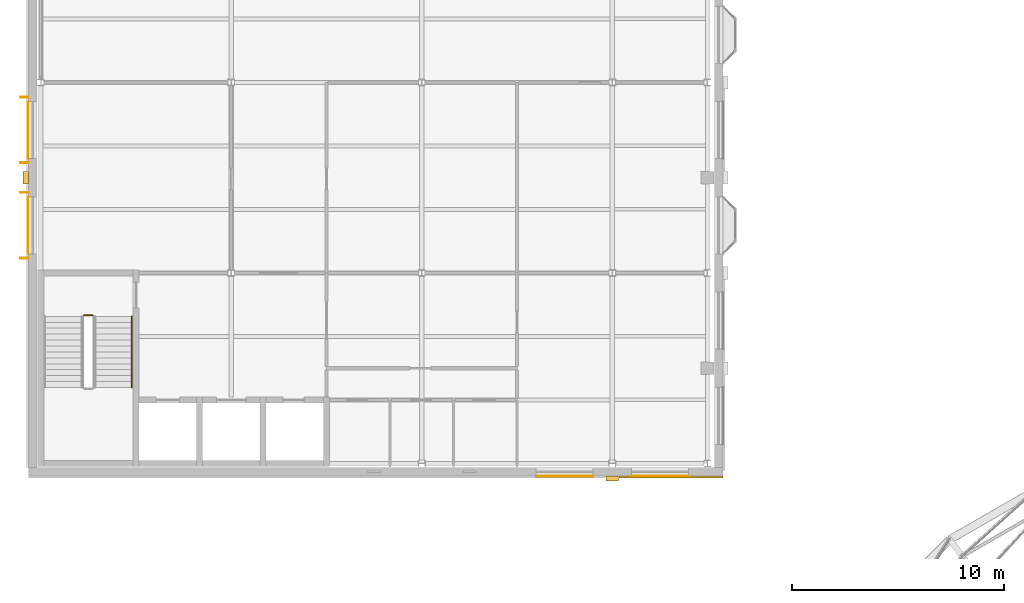
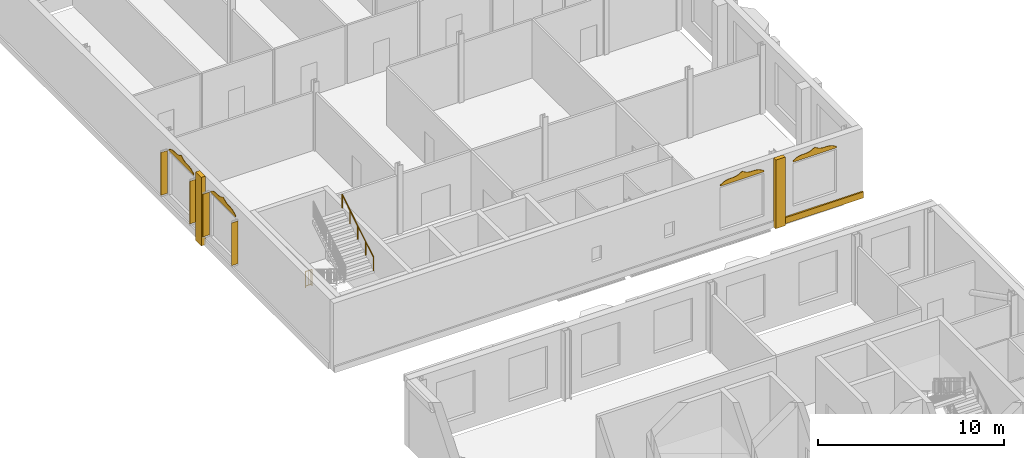
# One storey, part 51 of 59: 7 coverings, 4 shading devices, 2 railings.
"""IFC4 building model written with IfcOpenShell, lengths in metres."""

from ifc_helpers import new_model, si_unit, direction, frame, origin, origin_2d, place, context, subcontext, project, spatial, polyline, rectangle, circle, outline, extrude, material, layer, layer_set, type_object, element, save


model = new_model("IFC4")

# Units and contexts
model_context = context("Model", 3, precision=1e-05, world=origin(), true_north=direction((0.0, 1.0)))
body_context = subcontext(model_context, "Body", "Model", "MODEL_VIEW")
ifc_project = project(units=[si_unit("LENGTHUNIT", "METRE"), si_unit("AREAUNIT", "SQUARE_METRE"), si_unit("VOLUMEUNIT", "CUBIC_METRE"), si_unit("PLANEANGLEUNIT", "RADIAN"), si_unit("MASSUNIT", "GRAM", prefix="KILO")], contexts=[model_context])

# Site, building, storey
site_placement = place(None, origin())
site = spatial("IfcSite", under=ifc_project, at=site_placement, CompositionType="ELEMENT")
building_placement = place(site_placement, origin())
building = spatial("IfcBuilding", under=site, at=building_placement, Name="Hortulan Conservatory and Botanical Research Centre", CompositionType="ELEMENT")
storey_placement = place(building_placement, frame((0.0, 0.0, 10.5)))
storey = spatial("IfcBuildingStorey", under=building, at=storey_placement, Name="L02", CompositionType="ELEMENT", Elevation=10.5)

# Coverings
ifc_material_1 = material(Name="Faience cladding, cream glaze (non-combustible)", Category="ceramic")
ifc_layer_1 = layer(ifc_material_1, 0.030029296875)
ifc_layer_set_1 = layer_set([ifc_layer_1], Name="Faience Ogee Head Panel Cream 2700x500")
covering_type_1 = type_object("IfcCoveringType", Name="Faience Ogee Head Panel Cream 2700x500", PredefinedType="CLADDING", material=ifc_layer_set_1)
for number, where, z_axis, x_axis, name in (
    (1, (26.10009765625, 35.3994140625, 3.820068359375), (0.0, 0.0, 1.0), (-1.0, 0.0, 0.0), "Ogee head panel"),
    (2, (30.60009765625, 35.3994140625, 3.820068359375), (0.0, 0.0, 1.0), (-1.0, 0.0, 0.0), "Ogee head panel"),
    (3, (-0.594482421875, 50.39990234375, 3.820068359375), (0.0, 0.0, 1.0), (0.0, 1.0, 0.0), "Ogee head panel"),
):
    element("IfcCovering", number, at=place(storey_placement, frame(where, z_axis=z_axis, x_axis=x_axis)), inside=storey, type_object=covering_type_1, Name=name, PredefinedType="CLADDING", context=body_context, shape_type="SweptSolid", body=[
        extrude(outline(polyline([(0.0, 0.0), (2.699951171875, 0.0), (2.699951171875, 0.079833984375), (2.58740234375, 0.1484375), (2.47509765625, 0.208251953125), (2.362548828125, 0.252197265625), (2.25, 0.278076171875), (2.137451171875, 0.28857421875), (2.02490234375, 0.2900390625), (1.91259765625, 0.291259765625), (1.800048828125, 0.3017578125), (1.6875, 0.32763671875), (1.574951171875, 0.371826171875), (1.46240234375, 0.431396484375), (1.35009765625, 0.5), (1.237548828125, 0.431396484375), (1.125, 0.371826171875), (1.012451171875, 0.32763671875), (0.89990234375, 0.3017578125), (0.78759765625, 0.291259765625), (0.675048828125, 0.2900390625), (0.5625, 0.28857421875), (0.449951171875, 0.278076171875), (0.33740234375, 0.252197265625), (0.22509765625, 0.208251953125), (0.112548828125, 0.1484375), (0.0, 0.079833984375), (0.0, 0.0)])), frame((0.0, 0.01513671875, 0.0), z_axis=(0.0, -1.0, 0.0), x_axis=(1.0, 0.0, 0.0)), (0.0, 0.0, 1.0), 0.030029296875),
    ])
ifc_material_2 = material(Name="Faience cladding, harbour teal glaze (non-combustible)", Category="ceramic")
ifc_layer_2 = layer(ifc_material_2, 0.030029296875)
ifc_layer_set_2 = layer_set([ifc_layer_2], Name="Faience Ogee Head Panel Teal 2700x500")
covering_type_2 = type_object("IfcCoveringType", Name="Faience Ogee Head Panel Teal 2700x500", PredefinedType="CLADDING", material=ifc_layer_set_2)
covering_1_placement = place(storey_placement, frame((-0.594482421875, 45.89990234375, 3.820068359375), z_axis=(0.0, 0.0, 1.0), x_axis=(0.0, 1.0, 0.0)))
element("IfcCovering", 4, at=covering_1_placement, inside=storey, type_object=covering_type_2, Name="Ogee head panel", PredefinedType="CLADDING", context=body_context, shape_type="SweptSolid", body=[
    extrude(outline(polyline([(0.0, 0.0), (2.699951171875, 0.0), (2.699951171875, 0.079833984375), (2.58740234375, 0.1484375), (2.47509765625, 0.208251953125), (2.362548828125, 0.252197265625), (2.25, 0.278076171875), (2.137451171875, 0.28857421875), (2.02490234375, 0.2900390625), (1.91259765625, 0.291259765625), (1.800048828125, 0.3017578125), (1.6875, 0.32763671875), (1.574951171875, 0.371826171875), (1.46240234375, 0.431396484375), (1.35009765625, 0.5), (1.237548828125, 0.431396484375), (1.125, 0.371826171875), (1.012451171875, 0.32763671875), (0.89990234375, 0.3017578125), (0.78759765625, 0.291259765625), (0.675048828125, 0.2900390625), (0.5625, 0.28857421875), (0.449951171875, 0.278076171875), (0.33740234375, 0.252197265625), (0.22509765625, 0.208251953125), (0.112548828125, 0.1484375), (0.0, 0.079833984375), (0.0, 0.0)])), frame((0.0, 0.01513671875, 0.0), z_axis=(0.0, -1.0, 0.0), x_axis=(1.0, 0.0, 0.0)), (0.0, 0.0, 1.0), 0.030029296875),
])
ifc_layer_3 = layer(ifc_material_1, 0.25)
ifc_layer_set_3 = layer_set([ifc_layer_3], Name="Faience Pilaster 600x250")
covering_type_3 = type_object("IfcCoveringType", Name="Faience Pilaster 600x250", PredefinedType="CLADDING", material=ifc_layer_set_3)
for number, where, z_axis, x_axis, name in (
    (5, (27.0, 35.28955078125, 0.0), (0.0, 0.0, 1.0), (-1.0, 0.0, 0.0), "Pier"),
    (6, (-0.70458984375, 49.5, 0.0), (0.0, 0.0, 1.0), (0.0, 1.0, 0.0), "Pier"),
):
    element("IfcCovering", number, at=place(storey_placement, frame(where, z_axis=z_axis, x_axis=x_axis)), inside=storey, type_object=covering_type_3, Name=name, PredefinedType="CLADDING", context=body_context, shape_type="SweptSolid", body=[
        extrude(rectangle(XDim=0.60009765625, YDim=0.25, at=origin_2d()), origin(), (0.0, 0.0, 1.0), 4.5),
    ])
ifc_layer_4 = layer(ifc_material_2, 0.10009765625)
ifc_layer_set_4 = layer_set([ifc_layer_4], Name="Faience String Course 400x100 Teal")
covering_type_4 = type_object("IfcCoveringType", Name="Faience String Course 400x100 Teal", PredefinedType="CLADDING", material=ifc_layer_set_4)
covering_2_placement = place(storey_placement, frame((29.7724609375, 35.364501953125, 0.0), z_axis=(0.0, 0.0, 1.0), x_axis=(-1.0, 0.0, 0.0)))
element("IfcCovering", 7, at=covering_2_placement, inside=storey, type_object=covering_type_4, Name="String course", PredefinedType="CLADDING", context=body_context, shape_type="SweptSolid", body=[
    extrude(rectangle(XDim=4.905029296875, YDim=0.10009765625, at=origin_2d()), origin(), (0.0, 0.0, 1.0), 0.39990234375),
])

# Shading devices
ifc_material_3 = material(Name="Bronze-finished perforated aluminium", Category="aluminium")
ifc_layer_5 = layer(ifc_material_3, 0.0400390625)
ifc_layer_set_5 = layer_set([ifc_layer_5], Name="Perforated Fin 400x40")
shading_device_type = type_object("IfcShadingDeviceType", Name="Perforated Fin 400x40", PredefinedType="USERDEFINED", material=ifc_layer_set_5)
for number, where, z_axis, x_axis, name in (
    (8, (-0.779541015625, 45.699951171875, 0.89990234375), (0.0, 0.0, 1.0), (0.0, 1.0, 0.0), "Perforated fin"),
    (9, (-0.779541015625, 48.800048828125, 0.89990234375), (0.0, 0.0, 1.0), (0.0, 1.0, 0.0), "Perforated fin"),
    (10, (-0.779541015625, 50.199951171875, 0.89990234375), (0.0, 0.0, 1.0), (0.0, 1.0, 0.0), "Perforated fin"),
    (11, (-0.779541015625, 53.300048828125, 0.89990234375), (0.0, 0.0, 1.0), (0.0, 1.0, 0.0), "Perforated fin"),
):
    element("IfcShadingDevice", number, at=place(storey_placement, frame(where, z_axis=z_axis, x_axis=x_axis)), inside=storey, type_object=shading_device_type, Name=name, ObjectType="Perforated fin", PredefinedType="USERDEFINED", context=body_context, shape_type="SweptSolid", body=[
        extrude(rectangle(XDim=0.0400390625, YDim=0.39990234375, at=origin_2d()), origin(), (0.0, 0.0, 1.0), 2.800048828125),
    ])

# Railings
ifc_material_4 = material(Name="Steel balustrade, bronze-charcoal paint", Category="steel")
railing_type_1 = type_object("IfcRailingType", Name="Stair Guard 1100", PredefinedType="GUARDRAIL", material=ifc_material_4)
railing_1_placement = place(storey_placement, frame((2.050048828125, 43.0, 0.0)))
element("IfcRailing", 12, at=railing_1_placement, inside=storey, type_object=railing_type_1, Name="Guard V1 L02 stair 4", PredefinedType="GUARDRAIL", context=body_context, shape_type="SweptSolid", body=[
    extrude(circle(Radius=0.02392578125, at=origin_2d()), frame((0.0, 0.0, 1.076171875), z_axis=(1.0, 0.0, 0.0), x_axis=(0.0, 1.0, 0.0)), (0.0, 0.0, 1.0), 0.39990234375),
    extrude(circle(Radius=0.02392578125, at=origin_2d()), frame((0.0, 0.0, 0.1240234375), z_axis=(1.0, 0.0, 0.0), x_axis=(0.0, 1.0, 0.0)), (0.0, 0.0, 1.0), 0.39990234375),
    extrude(circle(Radius=0.008056640625, at=origin_2d()), frame((0.10009765625, 0.0, 0.148193359375)), (0.0, 0.0, 1.0), 0.90380859375),
    extrude(circle(Radius=0.008056640625, at=origin_2d()), frame((0.199951171875, 0.0, 0.148193359375)), (0.0, 0.0, 1.0), 0.90380859375),
    extrude(circle(Radius=0.008056640625, at=origin_2d()), frame((0.2998046875, 0.0, 0.148193359375)), (0.0, 0.0, 1.0), 0.90380859375),
    extrude(circle(Radius=0.02099609375, at=origin_2d()), origin(), (0.0, 0.0, 1.0), 1.052001953125),
    extrude(circle(Radius=0.02099609375, at=origin_2d()), frame((0.39990234375, 0.0, 0.0)), (0.0, 0.0, 1.0), 1.052001953125),
])
ifc_material_5 = material(Name="Bronze handrail, polished", Category="metal")
railing_type_2 = type_object("IfcRailingType", Name="Stair Handrail 900", PredefinedType="HANDRAIL", material=ifc_material_5)
railing_2_placement = place(storey_placement, frame((4.300048828125, 39.590087890625, 2.423095703125)))
element("IfcRailing", 13, at=railing_2_placement, inside=storey, type_object=railing_type_2, Name="Handrail V1 L02 stair 2", PredefinedType="HANDRAIL", context=body_context, shape_type="SweptSolid", body=[
    extrude(circle(Radius=0.02392578125, at=origin_2d()), frame((0.0, 0.0, 0.8759765625), z_axis=(0.0, 0.850606129759, 0.525803396734), x_axis=(-1.0, 0.0, 0.0)), (0.0, 0.0, 1.0), 3.949951171875),
    extrude(circle(Radius=0.02099609375, at=origin_2d()), origin(), (0.0, 0.0, 1.0), 0.851806640625),
    extrude(circle(Radius=0.02099609375, at=origin_2d()), frame((0.0, 0.83984375, 0.519287109375)), (0.0, 0.0, 1.0), 0.851806640625),
    extrude(circle(Radius=0.02099609375, at=origin_2d()), frame((0.0, 1.679931640625, 1.03857421875)), (0.0, 0.0, 1.0), 0.851806640625),
    extrude(circle(Radius=0.02099609375, at=origin_2d()), frame((0.0, 2.52001953125, 1.5576171875)), (0.0, 0.0, 1.0), 0.851806640625),
    extrude(circle(Radius=0.02099609375, at=origin_2d()), frame((0.0, 3.35986328125, 2.076904296875)), (0.0, 0.0, 1.0), 0.851806640625),
])

save(model, "model.ifc")
